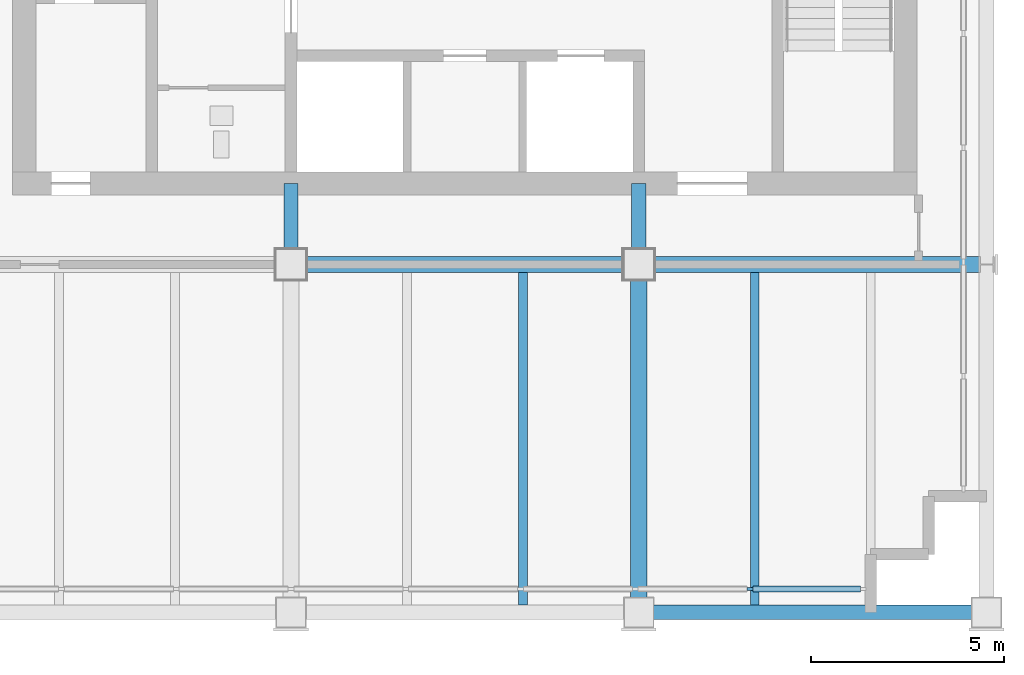
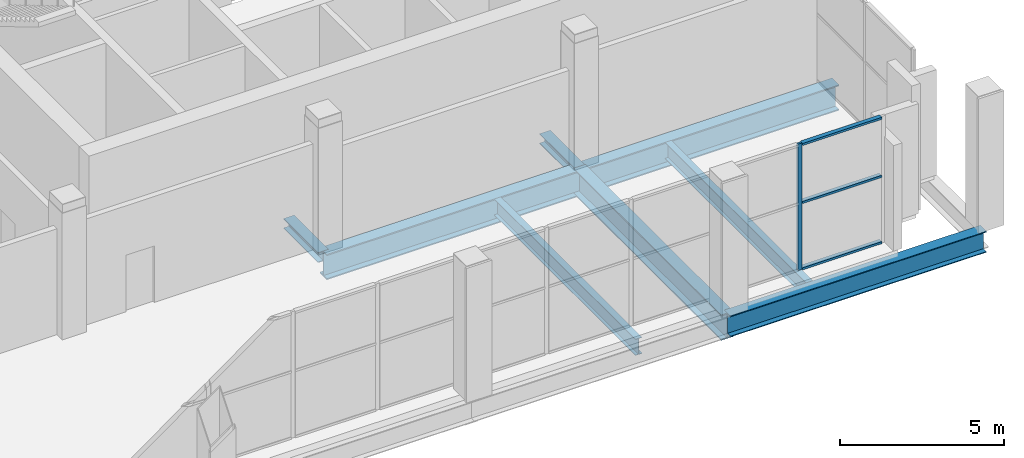
# One storey, part 3 of 10: 6 beams, 6 members, 1 element without a shape of its own.
"""IFC4 building model written with IfcOpenShell, lengths in metres."""

from ifc_helpers import new_model, si_unit, direction, frame, origin, origin_2d, place, context, subcontext, project, spatial, rectangle, i_section, extrude, material, material_profile, profile_set, type_object, element, aggregate, save


model = new_model("IFC4")

# Units and contexts
model_context = context("Model", 3, precision=1e-05, world=origin(), true_north=direction((0.0, 1.0)))
body_context = subcontext(model_context, "Body", "Model", "MODEL_VIEW")
ifc_project = project(units=[si_unit("LENGTHUNIT", "METRE"), si_unit("AREAUNIT", "SQUARE_METRE"), si_unit("VOLUMEUNIT", "CUBIC_METRE"), si_unit("PLANEANGLEUNIT", "RADIAN"), si_unit("MASSUNIT", "GRAM", prefix="KILO")], contexts=[model_context])

# Site, building, storey
site_placement = place(None, origin())
site = spatial("IfcSite", under=ifc_project, at=site_placement, CompositionType="ELEMENT")
building_placement = place(site_placement, origin())
building = spatial("IfcBuilding", under=site, at=building_placement, Name="Loomwork Tower", CompositionType="ELEMENT")
storey_placement = place(building_placement, frame((0.0, 0.0, 274.800048828125)))
storey = spatial("IfcBuildingStorey", under=building, at=storey_placement, Name="L75", CompositionType="ELEMENT", Elevation=274.800048828125)

# Members
ifc_material_1 = material(Name="Steel ASTM A992", Category="steel")
ifc_material_profile_1 = material_profile(ifc_material_1, i_section(OverallWidth=0.373291015625, OverallDepth=0.373291015625, WebThickness=0.016357421875, FlangeThickness=0.026123046875, at=origin_2d()), Name="W14x132")
ifc_profile_set_1 = profile_set([ifc_material_profile_1], Name="Steel ASTM A992")
member_type_1 = type_object("IfcMemberType", Name="CORE LINK STRUT W14x132", PredefinedType="STRUT", material=ifc_profile_set_1)
for number, where, z_axis, x_axis, name in (
    (1, (18.0, 9.0, -0.436767578125), (0.0, 1.0, 0.0), (-1.0, 0.0, 0.0), "Core link strut E/4-18.000,11.100 L75"),
    (2, (27.0, 9.0, -0.436767578125), (0.0, 1.0, 0.0), (-1.0, 0.0, 0.0), "Core link strut E/5-27.000,11.100 L75"),
):
    element("IfcMember", number, at=place(storey_placement, frame(where, z_axis=z_axis, x_axis=x_axis)), inside=storey, type_object=member_type_1, Name=name, PredefinedType="STRUT", context=body_context, shape_type="SweptSolid", body=[
        extrude(i_section(OverallWidth=0.373291015625, OverallDepth=0.373291015625, WebThickness=0.016357421875, FlangeThickness=0.026123046875, at=origin_2d()), origin(), (0.0, 0.0, 1.0), 2.10009765625),
    ])

# Beams
ifc_material_2 = material(Name="Steel ASTM A992", Category="steel")
ifc_material_profile_2 = material_profile(ifc_material_2, i_section(OverallWidth=0.424072265625, OverallDepth=0.947509765625, WebThickness=0.02392578125, FlangeThickness=0.042724609375, at=origin_2d()), Name="W36x302")
ifc_profile_set_2 = profile_set([ifc_material_profile_2], Name="Steel ASTM A992")
beam_type_1 = type_object("IfcBeamType", Name="PLANT FLOOR GIRDER W36x302", PredefinedType="BEAM", material=ifc_profile_set_2)
for number, where, z_axis, x_axis, name in (
    (3, (18.0, 9.0, -0.723876953125), (1.0, 0.0, 0.0), (0.0, 1.0, 0.0), "Plant Floor Girder E/4-E/5 L75"),
    (4, (27.0, 9.0, -0.723876953125), (1.0, 0.0, 0.0), (0.0, 1.0, 0.0), "Plant Floor Girder E/5-E/6 L75"),
    (5, (27.0, 0.0, -0.723876953125), (0.0, 1.0, 0.0), (-1.0, 0.0, 0.0), "Plant Floor Girder D/5-E/5 L75"),
):
    element("IfcBeam", number, at=place(storey_placement, frame(where, z_axis=z_axis, x_axis=x_axis)), inside=storey, type_object=beam_type_1, Name=name, PredefinedType="BEAM", context=body_context, shape_type="SweptSolid", body=[
        extrude(i_section(OverallWidth=0.424072265625, OverallDepth=0.947509765625, WebThickness=0.02392578125, FlangeThickness=0.042724609375, at=origin_2d()), origin(), (0.0, 0.0, 1.0), 9.0),
    ])
ifc_material_3 = material(Name="Steel ASTM A992", Category="steel")
ifc_material_profile_3 = material_profile(ifc_material_3, i_section(OverallWidth=0.228271484375, OverallDepth=0.607177734375, WebThickness=0.01123046875, FlangeThickness=0.017333984375, at=origin_2d()), Name="W24x76")
ifc_profile_set_3 = profile_set([ifc_material_profile_3], Name="Steel ASTM A992")
beam_type_2 = type_object("IfcBeamType", Name="PLANT FLOOR JOIST W24x76", PredefinedType="JOIST", material=ifc_profile_set_3)
for number, where, z_axis, x_axis, name in (
    (6, (24.0, 0.18994140625, -0.553466796875), (0.0, 1.0, 0.0), (-1.0, 0.0, 0.0), "Plant Floor Joist 24.000,0.000-24.000,9.000 L75"),
    (7, (30.0, 0.18994140625, -0.553466796875), (0.0, 1.0, 0.0), (-1.0, 0.0, 0.0), "Plant Floor Joist 30.000,0.000-30.000,9.000 L75"),
):
    element("IfcBeam", number, at=place(storey_placement, frame(where, z_axis=z_axis, x_axis=x_axis)), inside=storey, type_object=beam_type_2, Name=name, PredefinedType="JOIST", context=body_context, shape_type="SweptSolid", body=[
        extrude(i_section(OverallWidth=0.228271484375, OverallDepth=0.607177734375, WebThickness=0.01123046875, FlangeThickness=0.017333984375, at=origin_2d()), origin(), (0.0, 0.0, 1.0), 8.59814453125),
    ])

# Curtain wall, members
ifc_material_4 = material(Name="Aluminium louvre frame", Category="aluminium")
curtain_wall_type = type_object("IfcCurtainWallType", Name="Plant floor louvre screen", PredefinedType="NOTDEFINED", material=ifc_material_4)
curtain_wall_placement = place(storey_placement, origin())
curtain_wall = element("IfcCurtainWall", 8, at=curtain_wall_placement, inside=storey, type_object=curtain_wall_type, Name="Plant floor louvre screen cw/S", PredefinedType="NOTDEFINED")
ifc_material_5 = material(Name="Aluminium louvre frame", Category="aluminium")
ifc_material_profile_4 = material_profile(ifc_material_5, rectangle(XDim=0.080078125, YDim=0.14990234375, at=origin_2d()), Name="AL 80x150")
ifc_profile_set_4 = profile_set([ifc_material_profile_4], Name="Aluminium louvre frame")
member_type_2 = type_object("IfcMemberType", Name="Plant floor louvre screen mullion", PredefinedType="MULLION", material=ifc_profile_set_4)
member_1_placement = place(storey_placement, frame((29.8798828125, 0.60009765625, 0.0), z_axis=(0.0, 0.0, 1.0), x_axis=(0.0, 1.0, 0.0)))
member_1 = element("IfcMember", 9, at=member_1_placement, type_object=member_type_2, Name="CW4 mullion 10", PredefinedType="MULLION", context=body_context, shape_type="SweptSolid", body=[
    extrude(rectangle(XDim=0.080078125, YDim=0.14990234375, at=origin_2d()), origin(), (0.0, 0.0, 1.0), 4.699951171875),
])
ifc_material_6 = material(Name="Aluminium louvre frame", Category="aluminium")
ifc_material_profile_5 = material_profile(ifc_material_6, rectangle(XDim=0.14990234375, YDim=0.080078125, at=origin_2d()), Name="AL 80x150")
ifc_profile_set_5 = profile_set([ifc_material_profile_5], Name="Aluminium louvre frame")
member_type_3 = type_object("IfcMemberType", Name="Plant floor louvre screen transom", PredefinedType="USERDEFINED", material=ifc_profile_set_5)
member_2_placement = place(storey_placement, frame((29.955078125, 0.60009765625, 0.0400390625), z_axis=(1.0, 0.0, 0.0), x_axis=(0.0, 1.0, 0.0)))
member_2 = element("IfcMember", 10, at=member_2_placement, type_object=member_type_3, Name="CW4 transom 10.1", ObjectType="TRANSOM", PredefinedType="USERDEFINED", context=body_context, shape_type="SweptSolid", body=[
    extrude(rectangle(XDim=0.14990234375, YDim=0.080078125, at=origin_2d()), origin(), (0.0, 0.0, 1.0), 2.780029296875),
])
member_3_placement = place(storey_placement, frame((29.955078125, 0.60009765625, 2.5), z_axis=(1.0, 0.0, 0.0), x_axis=(0.0, 1.0, 0.0)))
member_3 = element("IfcMember", 11, at=member_3_placement, type_object=member_type_3, Name="CW4 transom 10.2", ObjectType="TRANSOM", PredefinedType="USERDEFINED", context=body_context, shape_type="SweptSolid", body=[
    extrude(rectangle(XDim=0.14990234375, YDim=0.080078125, at=origin_2d()), origin(), (0.0, 0.0, 1.0), 2.780029296875),
])
member_4_placement = place(storey_placement, frame((29.955078125, 0.60009765625, 4.659912109375), z_axis=(1.0, 0.0, 0.0), x_axis=(0.0, 1.0, 0.0)))
member_4 = element("IfcMember", 12, at=member_4_placement, type_object=member_type_3, Name="CW4 transom 10.3", ObjectType="TRANSOM", PredefinedType="USERDEFINED", context=body_context, shape_type="SweptSolid", body=[
    extrude(rectangle(XDim=0.14990234375, YDim=0.080078125, at=origin_2d()), origin(), (0.0, 0.0, 1.0), 2.780029296875),
])
aggregate(curtain_wall, [member_1, member_2, member_3, member_4])

# Beam
ifc_material_7 = material(Name="Steel ASTM A992", Category="steel")
ifc_material_profile_6 = material_profile(ifc_material_7, i_section(OverallWidth=0.381103515625, OverallDepth=0.77978515625, WebThickness=0.01806640625, FlangeThickness=0.0302734375, at=origin_2d()), Name="W30x191")
ifc_profile_set_6 = profile_set([ifc_material_profile_6], Name="Steel ASTM A992")
beam_type_3 = type_object("IfcBeamType", Name="SPANDREL GIRDER W30x191", PredefinedType="SPANDREL", material=ifc_profile_set_6)
beam_placement = place(storey_placement, frame((27.0, 0.0, -0.639892578125), z_axis=(1.0, 0.0, 0.0), x_axis=(0.0, 1.0, 0.0)))
element("IfcBeam", 13, at=beam_placement, inside=storey, type_object=beam_type_3, Name="Spandrel Girder D/5-D/6 L75", PredefinedType="SPANDREL", context=body_context, shape_type="SweptSolid", body=[
    extrude(i_section(OverallWidth=0.381103515625, OverallDepth=0.77978515625, WebThickness=0.01806640625, FlangeThickness=0.0302734375, at=origin_2d()), origin(), (0.0, 0.0, 1.0), 9.0),
])

save(model, "model.ifc")
